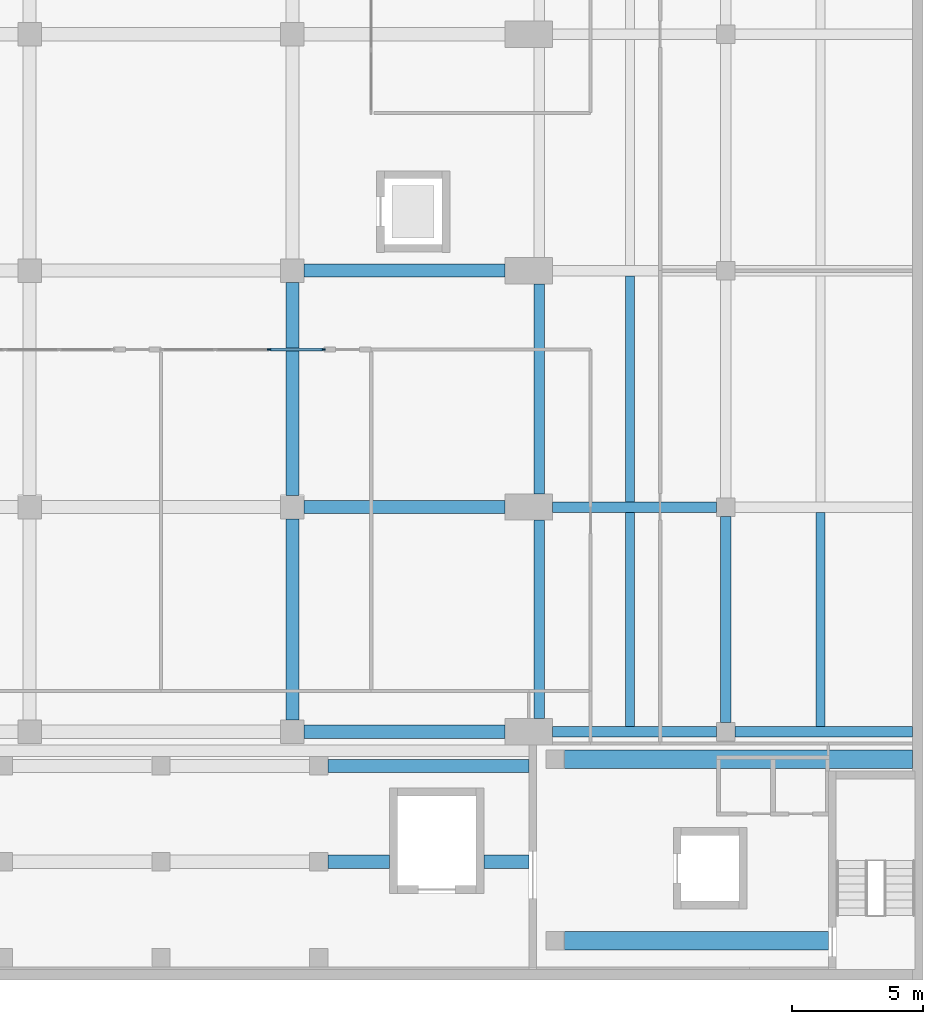
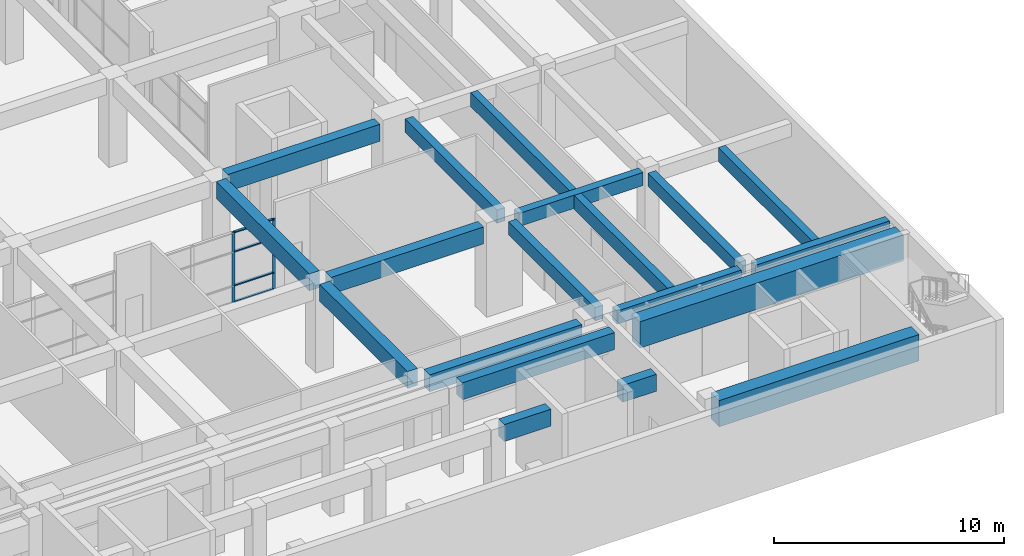
# One storey, part 3 of 29: 19 beams, 6 members, 1 element without a shape of its own.
"""IFC4 building model written with IfcOpenShell, lengths in metres."""

import ifcopenshell
import ifcopenshell.guid

model = None  # the IFC model being written
_history = None  # IfcOwnerHistory: only IFC2X3 demands one
_inside = {}  # id of a spatial element -> (the spatial element, [elements in it])
_under = {}  # id of a project, library or spatial element -> (it, [spatial elements below it])
_declared = {}  # id of a project -> (the project, [libraries it declares])
_typed = {}  # id of a type object -> (the type object, [elements of that type])
_made_of = {}  # id of a material, layer set ... -> (it, [elements and type objects made of it])


def new_model(schema):
    """Start an empty IFC model of exactly this schema.

    Asked for "IFC4X3", IfcOpenShell would pick the latest addendum, in which some entities
    have other attributes; the version numbers below select the first issue.
    IFC2X3 requires an IfcOwnerHistory on every rooted entity: one is made here for all.
    """
    global model, _history
    if schema == "IFC4X3":
        model = ifcopenshell.file(schema_version=(4, 3, 0, 0))
    else:
        model = ifcopenshell.file(schema=schema)
    _inside.clear()
    _under.clear()
    _declared.clear()
    _typed.clear()
    _made_of.clear()
    _history = None
    if model.schema == "IFC2X3":
        org = make("IfcOrganization", Name="unknown")
        user = make(
            "IfcPersonAndOrganization",
            ThePerson=make("IfcPerson", FamilyName="unknown"),
            TheOrganization=org,
        )
        app = make(
            "IfcApplication",
            ApplicationDeveloper=org,
            Version="unknown",
            ApplicationFullName="unknown",
            ApplicationIdentifier="unknown",
        )
        _history = make(
            "IfcOwnerHistory",
            OwningUser=user,
            OwningApplication=app,
            ChangeAction="ADDED",
            CreationDate=0,
        )
    return model


def make(cls, **values):
    """One entity of the class cls with the attributes given. An attribute that is None is left unset."""
    return model.create_entity(
        cls, **{name: value for name, value in values.items() if value is not None}
    )


def rooted(cls, **values):
    """An entity with a GlobalId (a new one), such as an element, a storey or a relation."""
    return make(cls, GlobalId=ifcopenshell.guid.new(), OwnerHistory=_history, **values)


def si_unit(unit_type, name, prefix=None):
    """IfcSIUnit, for example si_unit("LENGTHUNIT", "METRE", prefix="MILLI")."""
    return make("IfcSIUnit", UnitType=unit_type, Prefix=prefix, Name=name)


def assignment(units):
    """IfcUnitAssignment: the units of a project."""
    return None if units is None else make("IfcUnitAssignment", Units=units)


def point(xyz):
    """IfcCartesianPoint."""
    return None if xyz is None else make("IfcCartesianPoint", Coordinates=xyz)


def direction(xyz):
    """IfcDirection."""
    return None if xyz is None else make("IfcDirection", DirectionRatios=xyz)


def frame(location, z_axis=None, x_axis=None):
    """IfcAxis2Placement3D, a coordinate frame: its origin and axes. An axis left out is left unset."""
    return make(
        "IfcAxis2Placement3D",
        Location=point(location),
        Axis=direction(z_axis),
        RefDirection=direction(x_axis),
    )


def frame_2d(location, x_axis=None):
    """IfcAxis2Placement2D, a coordinate frame in the plane: its origin and x axis."""
    return make(
        "IfcAxis2Placement2D", Location=point(location), RefDirection=direction(x_axis)
    )


def origin():
    """The frame at (0, 0, 0) with its axes left unset."""
    return frame((0.0, 0.0, 0.0))


def origin_2d():
    """The frame at (0, 0) in the plane with its x axis left unset."""
    return frame_2d((0.0, 0.0))


def place(relative_to, where):
    """IfcLocalPlacement: puts the frame where relative to a parent placement (None: the world)."""
    return make(
        "IfcLocalPlacement", PlacementRelTo=relative_to, RelativePlacement=where
    )


def context(
    kind, dimensions, precision=None, world=None, true_north=None, identifier=None
):
    """IfcGeometricRepresentationContext, for example the 3D "Model" context."""
    return make(
        "IfcGeometricRepresentationContext",
        ContextIdentifier=identifier,
        ContextType=kind,
        CoordinateSpaceDimension=dimensions,
        Precision=precision,
        WorldCoordinateSystem=world,
        TrueNorth=true_north,
    )


def subcontext(parent, identifier, kind, view, scale=None):
    """IfcGeometricRepresentationSubContext, for example "Body" below "Model"."""
    return make(
        "IfcGeometricRepresentationSubContext",
        ContextIdentifier=identifier,
        ContextType=kind,
        ParentContext=parent,
        TargetScale=scale,
        TargetView=view,
    )


def project(units=None, contexts=None):
    """IfcProject with its units and contexts."""
    return rooted(
        "IfcProject",
        Name="project",
        RepresentationContexts=contexts,
        UnitsInContext=assignment(units),
    )


def spatial(cls, under=None, at=None, **own):
    """A site, building, storey or space (cls), placed at a placement, below another one or the project."""
    s = rooted(cls, ObjectPlacement=at, **own)
    if under is not None:
        _under.setdefault(under.id(), (under, []))[1].append(s)
    return s


def profile(cls, at=None, kind="AREA", **sizes):
    """A parametric profile (cls). Its sizes go by their IFC names, for example OverallWidth=200.0."""
    return make(cls, ProfileType=kind, Position=at, **sizes)


def rectangle(**sizes):
    """IfcRectangleProfileDef."""
    return profile("IfcRectangleProfileDef", **sizes)


def extrude(swept, where, along, depth):
    """IfcExtrudedAreaSolid: the profile swept, set in the frame where, extruded along a direction by depth."""
    return make(
        "IfcExtrudedAreaSolid",
        SweptArea=swept,
        Position=where,
        ExtrudedDirection=direction(along),
        Depth=depth,
    )


def shape(context_of_items, identifier, shape_type, items):
    """IfcShapeRepresentation: the items that make up one representation, for example the "Body"."""
    return make(
        "IfcShapeRepresentation",
        ContextOfItems=context_of_items,
        RepresentationIdentifier=identifier,
        RepresentationType=shape_type,
        Items=items,
    )


def material(Name=None, Category=None):
    """IfcMaterial."""
    return make("IfcMaterial", Name=Name, Category=Category)


def material_profile(
    of_material, cross_section, Name=None, Category=None, Priority=None
):
    """IfcMaterialProfile: a cross section and its material."""
    return make(
        "IfcMaterialProfile",
        Name=Name,
        Material=of_material,
        Profile=cross_section,
        Priority=Priority,
        Category=Category,
    )


def profile_set(profiles, Name=None, composite=None):
    """IfcMaterialProfileSet."""
    return make(
        "IfcMaterialProfileSet",
        Name=Name,
        MaterialProfiles=profiles,
        CompositeProfile=composite,
    )


def made_of(thing, what):
    """Note that an element or type object is made of a material, layer set ...; save() writes the relation."""
    if what is not None:
        _made_of.setdefault(what.id(), (what, []))[1].append(thing)
    return thing


def type_object(cls, material=None, **own):
    """A type object (cls), such as IfcWallType, which elements share."""
    return made_of(rooted(cls, **own), material)


def element(
    cls,
    number,
    at=None,
    inside=None,
    cuts=None,
    type_object=None,
    material=None,
    context=None,
    identifier="Body",
    shape_type=None,
    held_by="IfcProductDefinitionShape",
    body=None,
    shapes=None,
    **own,
):
    """One element of the class cls, such as IfcWall. Its Tag is "e" and its number.

    at: its placement. inside: the storey or other place that contains it. cuts: it is an
    opening in that element (IfcRelVoidsElement). A single representation is given by context,
    identifier, shape_type and body (its items); several are given by shapes. held_by: the class
    of the entity that holds the representations. save() writes the other relations.
    """
    e = rooted(cls, Tag="e%d" % number, ObjectPlacement=at, **own)
    if body is not None:
        shapes = [shape(context, identifier, shape_type, body)]
    if shapes is not None:
        e.Representation = make(held_by, Representations=shapes)
    if inside is not None:
        _inside.setdefault(inside.id(), (inside, []))[1].append(e)
    if cuts is not None:
        rooted(
            "IfcRelVoidsElement", RelatingBuildingElement=cuts, RelatedOpeningElement=e
        )
    if type_object is not None:
        _typed.setdefault(type_object.id(), (type_object, []))[1].append(e)
    return made_of(e, material)


def aggregate(whole, parts):
    """IfcRelAggregates: a whole, such as a stair, and the parts it consists of."""
    return rooted("IfcRelAggregates", RelatingObject=whole, RelatedObjects=parts)


def save(model, path):
    """Write the relations noted so far, then the file.

    IfcRelAggregates (storeys below a building ...), IfcRelContainedInSpatialStructure (elements
    in a storey), IfcRelDefinesByType, IfcRelAssociatesMaterial and IfcRelDeclares: one each for
    every whole, place, type object, material and project.
    """
    for whole, parts in _under.values():
        aggregate(whole, parts)
    for where, things in _inside.values():
        rooted(
            "IfcRelContainedInSpatialStructure",
            RelatedElements=things,
            RelatingStructure=where,
        )
    for kind, things in _typed.values():
        rooted("IfcRelDefinesByType", RelatedObjects=things, RelatingType=kind)
    for what, things in _made_of.values():
        rooted("IfcRelAssociatesMaterial", RelatedObjects=things, RelatingMaterial=what)
    for by, libraries in _declared.values():
        rooted("IfcRelDeclares", RelatingContext=by, RelatedDefinitions=libraries)
    model.write(path)


model = new_model("IFC4")

# Units and contexts
model_context = context("Model", 3, precision=1e-05, world=origin(), true_north=direction((0.0, 1.0)))
body_context = subcontext(model_context, "Body", "Model", "MODEL_VIEW")
ifc_project = project(units=[si_unit("LENGTHUNIT", "METRE"), si_unit("AREAUNIT", "SQUARE_METRE"), si_unit("VOLUMEUNIT", "CUBIC_METRE"), si_unit("PLANEANGLEUNIT", "RADIAN"), si_unit("MASSUNIT", "GRAM", prefix="KILO")], contexts=[model_context])

# Site, building, storey
site_placement = place(None, origin())
site = spatial("IfcSite", under=ifc_project, at=site_placement, CompositionType="ELEMENT")
building_placement = place(site_placement, origin())
building = spatial("IfcBuilding", under=site, at=building_placement, Name="Elmora Arch Market Hall", CompositionType="ELEMENT")
storey_placement = place(building_placement, frame((0.0, 0.0, -5.0)))
storey = spatial("IfcBuildingStorey", under=building, at=storey_placement, Name="LG", CompositionType="ELEMENT", Elevation=-5.0)

# Beams
ifc_material_1 = material(Name="Concrete C32/40", Category="concrete")
ifc_material_profile_1 = material_profile(ifc_material_1, rectangle(XDim=0.5, YDim=0.89990234375, at=origin_2d()), Name="Basement girder 500x900")
ifc_profile_set_1 = profile_set([ifc_material_profile_1], Name="Concrete C32/40")
beam_type_1 = type_object("IfcBeamType", Name="Basement girder 500x900", PredefinedType="BEAM", material=ifc_profile_set_1)
for number, where, z_axis, x_axis, name in (
    (1, (34.449951171875, 27.449951171875, 4.199951171875), (1.0, 0.0, 0.0), (0.0, 1.0, 0.0), "Basement girder HR1 LG.3"),
    (2, (34.449951171875, 36.0, 4.199951171875), (1.0, 0.0, 0.0), (0.0, 1.0, 0.0), "Basement girder HR2 LG.3"),
    (3, (34.449951171875, 45.0, 4.199951171875), (1.0, 0.0, 0.0), (0.0, 1.0, 0.0), "Basement girder HR3 LG.3"),
    (4, (34.0, 27.89990234375, 4.199951171875), (0.0, 1.0, 0.0), (-1.0, 0.0, 0.0), "Basement girder HC2 LG.1"),
):
    element("IfcBeam", number, at=place(storey_placement, frame(where, z_axis=z_axis, x_axis=x_axis)), inside=storey, type_object=beam_type_1, Name=name, PredefinedType="BEAM", context=body_context, shape_type="SweptSolid", body=[
        extrude(rectangle(XDim=0.5, YDim=0.89990234375, at=origin_2d()), origin(), (0.0, 0.0, 1.0), 7.650146484375),
    ])
beam_1_placement = place(storey_placement, frame((34.0, 36.449951171875, 4.199951171875), z_axis=(0.0, 1.0, 0.0), x_axis=(-1.0, 0.0, 0.0)))
element("IfcBeam", 5, at=beam_1_placement, inside=storey, type_object=beam_type_1, Name="Basement girder HC2 LG.2", PredefinedType="BEAM", context=body_context, shape_type="SweptSolid", body=[
    extrude(rectangle(XDim=0.5, YDim=0.89990234375, at=origin_2d()), origin(), (0.0, 0.0, 1.0), 8.10009765625),
])
beam_2_placement = place(storey_placement, frame((35.35009765625, 22.5, 4.25), z_axis=(1.0, 0.0, 0.0), x_axis=(0.0, 1.0, 0.0)))
element("IfcBeam", 6, at=beam_2_placement, inside=storey, type_object=beam_type_1, Name="Basement girder DKR1 LG.5", PredefinedType="BEAM", context=body_context, shape_type="SweptSolid", body=[
    extrude(rectangle(XDim=0.5, YDim=0.89990234375, at=origin_2d()), origin(), (0.0, 0.0, 1.0), 2.349853515625),
])
beam_3_placement = place(storey_placement, frame((41.300048828125, 22.5, 4.25), z_axis=(1.0, 0.0, 0.0), x_axis=(0.0, 1.0, 0.0)))
element("IfcBeam", 7, at=beam_3_placement, inside=storey, type_object=beam_type_1, Name="Basement girder DKR1 LG.6", PredefinedType="BEAM", context=body_context, shape_type="SweptSolid", body=[
    extrude(rectangle(XDim=0.5, YDim=0.89990234375, at=origin_2d()), origin(), (0.0, 0.0, 1.0), 1.699951171875),
])
beam_4_placement = place(storey_placement, frame((35.35009765625, 26.14990234375, 4.25), z_axis=(1.0, 0.0, 0.0), x_axis=(0.0, 1.0, 0.0)))
element("IfcBeam", 8, at=beam_4_placement, inside=storey, type_object=beam_type_1, Name="Basement girder DKR2 LG.4", PredefinedType="BEAM", context=body_context, shape_type="SweptSolid", body=[
    extrude(rectangle(XDim=0.5, YDim=0.89990234375, at=origin_2d()), origin(), (0.0, 0.0, 1.0), 7.64990234375),
])
ifc_material_2 = material(Name="Concrete C32/40", Category="concrete")
ifc_material_profile_2 = material_profile(ifc_material_2, rectangle(XDim=0.699951171875, YDim=1.39990234375, at=origin_2d()), Name="Corner block girder 700x1400")
ifc_profile_set_2 = profile_set([ifc_material_profile_2], Name="Concrete C32/40")
beam_type_2 = type_object("IfcBeamType", Name="Corner block girder 700x1400", PredefinedType="BEAM", material=ifc_profile_set_2)
beam_5_placement = place(storey_placement, frame((44.35009765625, 19.5, 4.0), z_axis=(1.0, 0.0, 0.0), x_axis=(0.0, 1.0, 0.0)))
element("IfcBeam", 9, at=beam_5_placement, inside=storey, type_object=beam_type_2, Name="Corner block girder SER1 LG.1", PredefinedType="BEAM", context=body_context, shape_type="SweptSolid", body=[
    extrude(rectangle(XDim=0.699951171875, YDim=1.39990234375, at=origin_2d()), origin(), (0.0, 0.0, 1.0), 10.0498046875),
])
beam_6_placement = place(storey_placement, frame((44.35009765625, 26.39990234375, 4.0), z_axis=(1.0, 0.0, 0.0), x_axis=(0.0, 1.0, 0.0)))
element("IfcBeam", 10, at=beam_6_placement, inside=storey, type_object=beam_type_2, Name="Corner block girder SER2 LG.1", PredefinedType="BEAM", context=body_context, shape_type="SweptSolid", body=[
    extrude(rectangle(XDim=0.699951171875, YDim=1.39990234375, at=origin_2d()), origin(), (0.0, 0.0, 1.0), 13.25),
])

# Curtain wall, members
ifc_material_3 = material(Name="Aluminium", Category="aluminium")
curtain_wall_type = type_object("IfcCurtainWallType", Name="Lower ground shopfront curtain wall", PredefinedType="NOTDEFINED", material=ifc_material_3)
curtain_wall_placement = place(storey_placement, origin())
curtain_wall = element("IfcCurtainWall", 11, at=curtain_wall_placement, inside=storey, type_object=curtain_wall_type, Name="Lower ground shopfront S2", PredefinedType="NOTDEFINED")
ifc_material_4 = material(Name="Aluminium", Category="aluminium")
ifc_material_profile_3 = material_profile(ifc_material_4, rectangle(XDim=0.06005859375, YDim=0.159912109375, at=origin_2d()), Name="AL 60x160")
ifc_profile_set_3 = profile_set([ifc_material_profile_3], Name="Aluminium")
member_type_1 = type_object("IfcMemberType", Name="Mullion 60x160", PredefinedType="MULLION", material=ifc_profile_set_3)
member_1_placement = place(storey_placement, frame((33.13330078125, 42.0, 0.0), z_axis=(0.0, 0.0, 1.0), x_axis=(0.0, 1.0, 0.0)))
member_1 = element("IfcMember", 12, at=member_1_placement, type_object=member_type_1, Name="CW6 mullion 3", PredefinedType="MULLION", context=body_context, shape_type="SweptSolid", body=[
    extrude(rectangle(XDim=0.06005859375, YDim=0.159912109375, at=origin_2d()), origin(), (0.0, 0.0, 1.0), 3.75),
])
member_2_placement = place(storey_placement, frame((35.169921875, 42.0, 0.0), z_axis=(0.0, 0.0, 1.0), x_axis=(0.0, 1.0, 0.0)))
member_2 = element("IfcMember", 13, at=member_2_placement, type_object=member_type_1, Name="CW6 mullion 4", PredefinedType="MULLION", context=body_context, shape_type="SweptSolid", body=[
    extrude(rectangle(XDim=0.06005859375, YDim=0.159912109375, at=origin_2d()), origin(), (0.0, 0.0, 1.0), 3.75),
])
ifc_material_5 = material(Name="Aluminium", Category="aluminium")
ifc_material_profile_4 = material_profile(ifc_material_5, rectangle(XDim=0.1201171875, YDim=0.06005859375, at=origin_2d()), Name="AL 120x60")
ifc_profile_set_4 = profile_set([ifc_material_profile_4], Name="Aluminium")
member_type_2 = type_object("IfcMemberType", Name="Transom 120x60", PredefinedType="USERDEFINED", material=ifc_profile_set_4)
member_3_placement = place(storey_placement, frame((33.163330078125, 42.0, 0.030029296875), z_axis=(1.0, 0.0, 0.0), x_axis=(0.0, 1.0, 0.0)))
member_3 = element("IfcMember", 14, at=member_3_placement, type_object=member_type_2, Name="CW6 transom 3.1", ObjectType="TRANSOM", PredefinedType="USERDEFINED", context=body_context, shape_type="SweptSolid", body=[
    extrude(rectangle(XDim=0.1201171875, YDim=0.06005859375, at=origin_2d()), origin(), (0.0, 0.0, 1.0), 1.9765625),
])
member_4_placement = place(storey_placement, frame((33.163330078125, 42.0, 0.89990234375), z_axis=(1.0, 0.0, 0.0), x_axis=(0.0, 1.0, 0.0)))
member_4 = element("IfcMember", 15, at=member_4_placement, type_object=member_type_2, Name="CW6 transom 3.2", ObjectType="TRANSOM", PredefinedType="USERDEFINED", context=body_context, shape_type="SweptSolid", body=[
    extrude(rectangle(XDim=0.1201171875, YDim=0.06005859375, at=origin_2d()), origin(), (0.0, 0.0, 1.0), 1.9765625),
])
member_5_placement = place(storey_placement, frame((33.163330078125, 42.0, 2.699951171875), z_axis=(1.0, 0.0, 0.0), x_axis=(0.0, 1.0, 0.0)))
member_5 = element("IfcMember", 16, at=member_5_placement, type_object=member_type_2, Name="CW6 transom 3.3", ObjectType="TRANSOM", PredefinedType="USERDEFINED", context=body_context, shape_type="SweptSolid", body=[
    extrude(rectangle(XDim=0.1201171875, YDim=0.06005859375, at=origin_2d()), origin(), (0.0, 0.0, 1.0), 1.9765625),
])
member_6_placement = place(storey_placement, frame((33.163330078125, 42.0, 3.719970703125), z_axis=(1.0, 0.0, 0.0), x_axis=(0.0, 1.0, 0.0)))
member_6 = element("IfcMember", 17, at=member_6_placement, type_object=member_type_2, Name="CW6 transom 3.4", ObjectType="TRANSOM", PredefinedType="USERDEFINED", context=body_context, shape_type="SweptSolid", body=[
    extrude(rectangle(XDim=0.1201171875, YDim=0.06005859375, at=origin_2d()), origin(), (0.0, 0.0, 1.0), 1.9765625),
])
aggregate(curtain_wall, [member_1, member_2, member_3, member_4, member_5, member_6])

# Beams
ifc_material_6 = material(Name="Concrete C32/40", Category="concrete")
ifc_material_profile_5 = material_profile(ifc_material_6, rectangle(XDim=0.39990234375, YDim=0.699951171875, at=origin_2d()), Name="Wing beam 400x700")
ifc_profile_set_5 = profile_set([ifc_material_profile_5], Name="Concrete C32/40")
beam_type_3 = type_object("IfcBeamType", Name="Wing beam 400x700", PredefinedType="BEAM", material=ifc_profile_set_5)
beam_7_placement = place(storey_placement, frame((43.89990234375, 27.449951171875, 4.35009765625), z_axis=(1.0, 0.0, 0.0), x_axis=(0.0, 1.0, 0.0)))
element("IfcBeam", 18, at=beam_7_placement, inside=storey, type_object=beam_type_3, Name="Wing beam ER1 LG.1", PredefinedType="BEAM", context=body_context, shape_type="SweptSolid", body=[
    extrude(rectangle(XDim=0.39990234375, YDim=0.699951171875, at=origin_2d()), origin(), (0.0, 0.0, 1.0), 6.25),
])
beam_8_placement = place(storey_placement, frame((50.85009765625, 27.449951171875, 4.35009765625), z_axis=(1.0, 0.0, 0.0), x_axis=(0.0, 1.0, 0.0)))
element("IfcBeam", 19, at=beam_8_placement, inside=storey, type_object=beam_type_3, Name="Wing beam ER1 LG.2", PredefinedType="BEAM", context=body_context, shape_type="SweptSolid", body=[
    extrude(rectangle(XDim=0.39990234375, YDim=0.699951171875, at=origin_2d()), origin(), (0.0, 0.0, 1.0), 6.75),
])
beam_9_placement = place(storey_placement, frame((43.89990234375, 36.0, 4.35009765625), z_axis=(1.0, 0.0, 0.0), x_axis=(0.0, 1.0, 0.0)))
element("IfcBeam", 20, at=beam_9_placement, inside=storey, type_object=beam_type_3, Name="Wing beam ER2 LG.1", PredefinedType="BEAM", context=body_context, shape_type="SweptSolid", body=[
    extrude(rectangle(XDim=0.39990234375, YDim=0.699951171875, at=origin_2d()), origin(), (0.0, 0.0, 1.0), 6.25),
])
beam_10_placement = place(storey_placement, frame((50.5, 27.800048828125, 4.35009765625), z_axis=(0.0, 1.0, 0.0), x_axis=(-1.0, 0.0, 0.0)))
element("IfcBeam", 21, at=beam_10_placement, inside=storey, type_object=beam_type_3, Name="Wing beam EG LG.1", PredefinedType="BEAM", context=body_context, shape_type="SweptSolid", body=[
    extrude(rectangle(XDim=0.39990234375, YDim=0.699951171875, at=origin_2d()), origin(), (0.0, 0.0, 1.0), 7.849853515625),
])
beam_11_placement = place(storey_placement, frame((43.39990234375, 27.949951171875, 4.35009765625), z_axis=(0.0, 1.0, 0.0), x_axis=(-1.0, 0.0, 0.0)))
element("IfcBeam", 22, at=beam_11_placement, inside=storey, type_object=beam_type_3, Name="Wing beam EEB LG.1", PredefinedType="BEAM", context=body_context, shape_type="SweptSolid", body=[
    extrude(rectangle(XDim=0.39990234375, YDim=0.699951171875, at=origin_2d()), origin(), (0.0, 0.0, 1.0), 7.550048828125),
])
beam_12_placement = place(storey_placement, frame((43.39990234375, 36.5, 4.35009765625), z_axis=(0.0, 1.0, 0.0), x_axis=(-1.0, 0.0, 0.0)))
element("IfcBeam", 23, at=beam_12_placement, inside=storey, type_object=beam_type_3, Name="Wing beam EEB LG.2", PredefinedType="BEAM", context=body_context, shape_type="SweptSolid", body=[
    extrude(rectangle(XDim=0.39990234375, YDim=0.699951171875, at=origin_2d()), origin(), (0.0, 0.0, 1.0), 8.0),
])
ifc_material_7 = material(Name="Concrete C32/40", Category="concrete")
ifc_material_profile_6 = material_profile(ifc_material_7, rectangle(XDim=0.35009765625, YDim=0.75, at=origin_2d()), Name="Wing joist 350x750")
ifc_profile_set_6 = profile_set([ifc_material_profile_6], Name="Concrete C32/40")
beam_type_4 = type_object("IfcBeamType", Name="Wing joist 350x750", PredefinedType="JOIST", material=ifc_profile_set_6)
beam_13_placement = place(storey_placement, frame((46.85009765625, 27.64990234375, 4.324951171875), z_axis=(0.0, 1.0, 0.0), x_axis=(-1.0, 0.0, 0.0)))
element("IfcBeam", 24, at=beam_13_placement, inside=storey, type_object=beam_type_4, Name="Wing joist EJ1 LG.1", PredefinedType="JOIST", context=body_context, shape_type="SweptSolid", body=[
    extrude(rectangle(XDim=0.35009765625, YDim=0.75, at=origin_2d()), origin(), (0.0, 0.0, 1.0), 8.150146484375),
])
beam_14_placement = place(storey_placement, frame((46.85009765625, 36.199951171875, 4.324951171875), z_axis=(0.0, 1.0, 0.0), x_axis=(-1.0, 0.0, 0.0)))
element("IfcBeam", 25, at=beam_14_placement, inside=storey, type_object=beam_type_4, Name="Wing joist EJ1 LG.2", PredefinedType="JOIST", context=body_context, shape_type="SweptSolid", body=[
    extrude(rectangle(XDim=0.35009765625, YDim=0.75, at=origin_2d()), origin(), (0.0, 0.0, 1.0), 8.60009765625),
])
beam_15_placement = place(storey_placement, frame((54.10009765625, 27.64990234375, 4.324951171875), z_axis=(0.0, 1.0, 0.0), x_axis=(-1.0, 0.0, 0.0)))
element("IfcBeam", 26, at=beam_15_placement, inside=storey, type_object=beam_type_4, Name="Wing joist EJ2 LG.1", PredefinedType="JOIST", context=body_context, shape_type="SweptSolid", body=[
    extrude(rectangle(XDim=0.35009765625, YDim=0.75, at=origin_2d()), origin(), (0.0, 0.0, 1.0), 8.150146484375),
])

save(model, "model.ifc")
